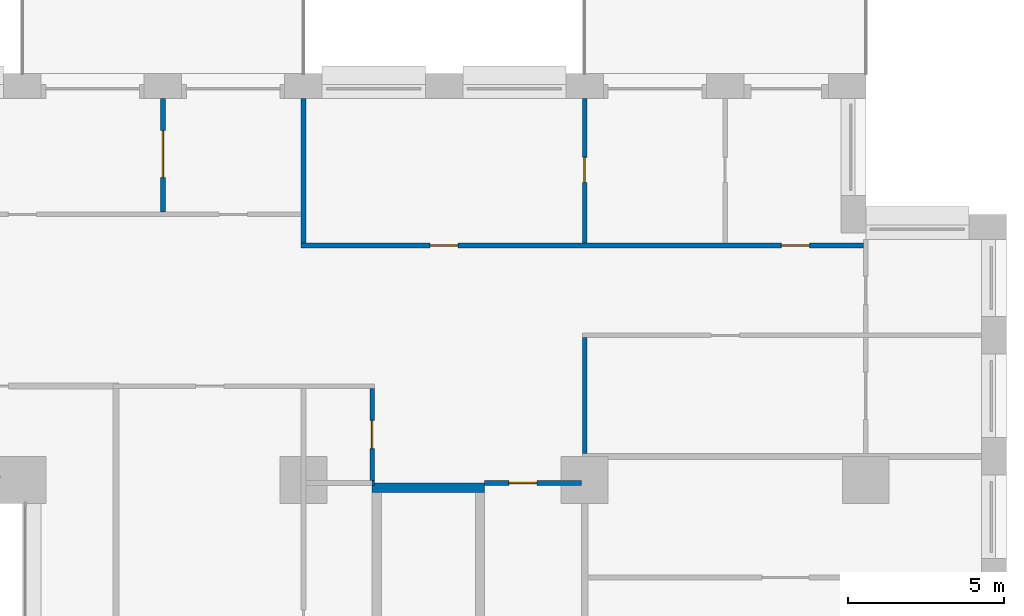
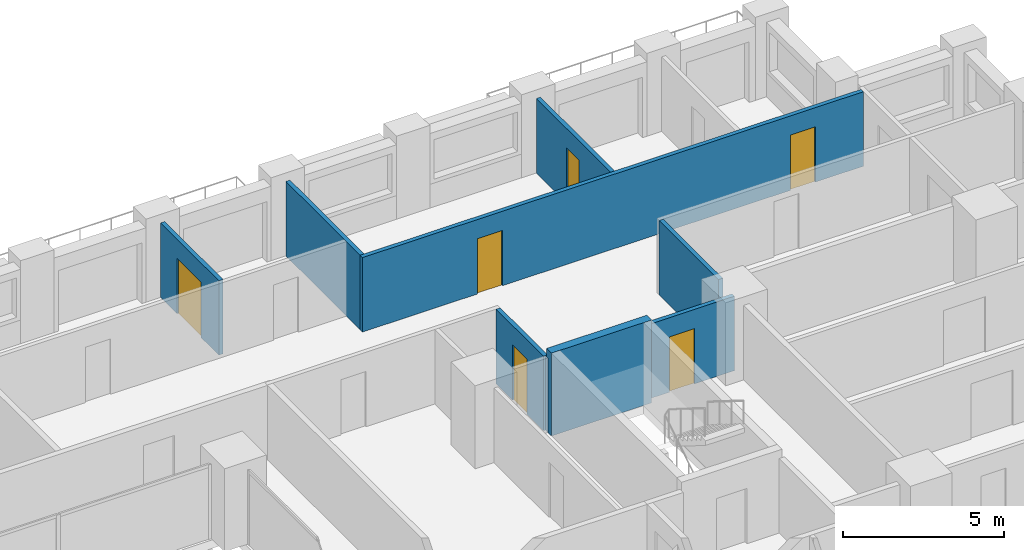
# One storey, part 15 of 20: 9 walls, 6 doors, 6 openings.
"""IFC4 building model written with IfcOpenShell, lengths in metres."""

from ifc_helpers import new_model, si_unit, direction, frame, frame_2d, origin, place, context, subcontext, project, spatial, rectangle, extrude, material, layer, layer_set, type_object, element, fill, save


model = new_model("IFC4")

# Units and contexts
model_context = context("Model", 3, precision=1e-05, world=origin(), true_north=direction((0.0, 1.0)))
body_context = subcontext(model_context, "Body", "Model", "MODEL_VIEW")
ifc_project = project(units=[si_unit("LENGTHUNIT", "METRE"), si_unit("AREAUNIT", "SQUARE_METRE"), si_unit("VOLUMEUNIT", "CUBIC_METRE"), si_unit("PLANEANGLEUNIT", "RADIAN"), si_unit("MASSUNIT", "GRAM", prefix="KILO")], contexts=[model_context])

# Site, building, storey
site_placement = place(None, origin())
site = spatial("IfcSite", under=ifc_project, at=site_placement, CompositionType="ELEMENT")
building_placement = place(site_placement, origin())
building = spatial("IfcBuilding", under=site, at=building_placement, Name="Brigalow Station Residences", CompositionType="ELEMENT")
storey_placement = place(building_placement, frame((0.0, 0.0, 60.449951171875)))
storey = spatial("IfcBuildingStorey", under=building, at=storey_placement, Name="L17", CompositionType="ELEMENT", Elevation=60.449951171875)

# Wall
ifc_material_1 = material(Name="Concrete C80", Category="concrete")
ifc_layer_1 = layer(ifc_material_1, 0.300048828125)
ifc_layer_set_1 = layer_set([ifc_layer_1], Name="CORE SHEAR WALL 300 C80")
wall_type_1 = type_object("IfcWallType", Name="CORE SHEAR WALL 300 C80", PredefinedType="SHEAR", material=ifc_layer_set_1)
wall_1_placement = place(storey_placement, frame((56.199951171875, 35.25, 0.0), z_axis=(0.0, 0.0, 1.0), x_axis=(1.0, 0.0, 0.0)))
element("IfcWall", 1, at=wall_1_placement, inside=storey, type_object=wall_type_1, Name="CORE WALL ST-S3-N L17", PredefinedType="SHEAR", context=body_context, shape_type="SweptSolid", body=[
    extrude(rectangle(XDim=3.60009765625, YDim=0.300048828125, at=frame_2d((1.800048828125, 0.0))), origin(), (0.0, 0.0, 1.0), 3.150146484375),
])

# Wall, openings, doors
ifc_material_2 = material(Name="Plasterboard on steel stud partition", Category="steel")
ifc_layer_2 = layer(ifc_material_2, 0.14990234375)
ifc_layer_set_2 = layer_set([ifc_layer_2], Name="FLAT PARTITION 150")
wall_type_2 = type_object("IfcWallType", Name="FLAT PARTITION 150", PredefinedType="PARTITIONING", material=ifc_layer_set_2)
wall_2_placement = place(storey_placement, frame((53.925048828125, 43.0, 0.0), z_axis=(0.0, 0.0, 1.0), x_axis=(1.0, 0.0, 0.0)))
wall_2 = element("IfcWall", 2, at=wall_2_placement, inside=storey, type_object=wall_type_2, Name="PW-1F23", PredefinedType="PARTITIONING", context=body_context, shape_type="SweptSolid", body=[
    extrude(rectangle(XDim=18.0, YDim=0.14990234375, at=frame_2d((9.0, 0.0))), origin(), (0.0, 0.0, 1.0), 2.830078125),
])
opening_1_placement = place(wall_2_placement, frame((15.375, 0.0, 0.0)))
opening_1 = element("IfcOpeningElement", 3, at=opening_1_placement, cuts=wall_2, Name="Opening D-1F38", PredefinedType="OPENING", context=body_context, shape_type="SweptSolid", body=[
    extrude(rectangle(XDim=0.89990234375, YDim=2.10009765625, at=frame_2d((0.449951171875, 1.050048828125))), frame((0.0, 0.0849609375, 0.0), z_axis=(0.0, -1.0, 0.0), x_axis=(1.0, 0.0, 0.0)), (0.0, 0.0, 1.0), 0.169921875),
])
opening_2_placement = place(wall_2_placement, frame((4.125, 0.0, 0.0)))
opening_2 = element("IfcOpeningElement", 4, at=opening_2_placement, cuts=wall_2, Name="Opening D-1F44", PredefinedType="OPENING", context=body_context, shape_type="SweptSolid", body=[
    extrude(rectangle(XDim=0.89990234375, YDim=2.10009765625, at=frame_2d((0.449951171875, 1.050048828125))), frame((0.0, 0.0849609375, 0.0), z_axis=(0.0, -1.0, 0.0), x_axis=(1.0, 0.0, 0.0)), (0.0, 0.0, 1.0), 0.169921875),
])
ifc_material_3 = material(Name="Solid-core timber door leaf", Category="wood")
door_type_1 = type_object("IfcDoorType", Name="INTERNAL DOOR 900 x 2100", OperationType="SINGLE_SWING_LEFT", PredefinedType="DOOR", material=ifc_material_3)
door_1_placement = place(opening_1_placement, origin())
door_1 = element("IfcDoor", 5, at=door_1_placement, inside=storey, type_object=door_type_1, Name="D-1F38", OperationType="SINGLE_SWING_RIGHT", OverallHeight=2.10009765625, OverallWidth=0.89990234375, PredefinedType="DOOR", context=body_context, shape_type="SweptSolid", body=[
    extrude(rectangle(XDim=0.89990234375, YDim=2.10009765625, at=frame_2d((0.449951171875, 1.050048828125))), frame((0.0, 0.02490234375, 0.0), z_axis=(0.0, -1.0, 0.0), x_axis=(1.0, 0.0, 0.0)), (0.0, 0.0, 1.0), 0.050048828125),
])
fill(opening_1, door_1)
door_2_placement = place(opening_2_placement, origin())
door_2 = element("IfcDoor", 6, at=door_2_placement, inside=storey, type_object=door_type_1, Name="D-1F44", OperationType="SINGLE_SWING_RIGHT", OverallHeight=2.10009765625, OverallWidth=0.89990234375, PredefinedType="DOOR", context=body_context, shape_type="SweptSolid", body=[
    extrude(rectangle(XDim=0.89990234375, YDim=2.10009765625, at=frame_2d((0.449951171875, 1.050048828125))), frame((0.0, 0.02490234375, 0.0), z_axis=(0.0, -1.0, 0.0), x_axis=(1.0, 0.0, 0.0)), (0.0, 0.0, 1.0), 0.050048828125),
])
fill(opening_2, door_2)

# Wall
wall_3_placement = place(storey_placement, frame((56.199951171875, 35.39990234375, 0.0), z_axis=(0.0, 0.0, 1.0), x_axis=(1.0, 0.0, 0.0)))
element("IfcWall", 7, at=wall_3_placement, inside=storey, type_object=wall_type_2, Name="PW-1F27", PredefinedType="PARTITIONING", context=body_context, shape_type="SweptSolid", body=[
    extrude(rectangle(XDim=0.074951171875, YDim=0.14990234375, at=frame_2d((0.03759765625, 0.0))), origin(), (0.0, 0.0, 1.0), 2.830078125),
])

# Wall, opening, door
wall_4_placement = place(storey_placement, frame((59.800048828125, 35.39990234375, 0.0), z_axis=(0.0, 0.0, 1.0), x_axis=(1.0, 0.0, 0.0)))
wall_4 = element("IfcWall", 8, at=wall_4_placement, inside=storey, type_object=wall_type_2, Name="PW-1F28", PredefinedType="PARTITIONING", context=body_context, shape_type="SweptSolid", body=[
    extrude(rectangle(XDim=3.099853515625, YDim=0.14990234375, at=frame_2d((1.5498046875, 0.0))), origin(), (0.0, 0.0, 1.0), 2.830078125),
])
opening_3_placement = place(wall_4_placement, frame((0.77490234375, 0.0, 0.0)))
opening_3 = element("IfcOpeningElement", 9, at=opening_3_placement, cuts=wall_4, Name="Opening D-1F48", PredefinedType="OPENING", context=body_context, shape_type="SweptSolid", body=[
    extrude(rectangle(XDim=0.89990234375, YDim=2.10009765625, at=frame_2d((0.449951171875, 1.050048828125))), frame((0.0, 0.0849609375, 0.0), z_axis=(0.0, -1.0, 0.0), x_axis=(1.0, 0.0, 0.0)), (0.0, 0.0, 1.0), 0.169921875),
])
door_3_placement = place(opening_3_placement, frame((0.89990234375, 0.0, 0.0), z_axis=(0.0, 0.0, 1.0), x_axis=(-1.0, 0.0, 0.0)))
door_3 = element("IfcDoor", 10, at=door_3_placement, inside=storey, type_object=door_type_1, Name="D-1F48", OperationType="SINGLE_SWING_RIGHT", OverallHeight=2.10009765625, OverallWidth=0.89990234375, PredefinedType="DOOR", context=body_context, shape_type="SweptSolid", body=[
    extrude(rectangle(XDim=0.89990234375, YDim=2.10009765625, at=frame_2d((0.449951171875, 1.050048828125))), frame((0.0, 0.02490234375, 0.0), z_axis=(0.0, -1.0, 0.0), x_axis=(1.0, 0.0, 0.0)), (0.0, 0.0, 1.0), 0.050048828125),
])
fill(opening_3, door_3)

# Walls
wall_5_placement = place(storey_placement, frame((54.0, 43.074951171875, 0.0), z_axis=(0.0, 0.0, 1.0), x_axis=(0.0, 1.0, 0.0)))
element("IfcWall", 11, at=wall_5_placement, inside=storey, type_object=wall_type_2, Name="PW-1F42", PredefinedType="PARTITIONING", context=body_context, shape_type="SweptSolid", body=[
    extrude(rectangle(XDim=4.625, YDim=0.14990234375, at=frame_2d((2.3125, 0.0))), origin(), (0.0, 0.0, 1.0), 2.830078125),
])
wall_6_placement = place(storey_placement, frame((63.0, 36.35009765625, 0.0), z_axis=(0.0, 0.0, 1.0), x_axis=(0.0, 1.0, 0.0)))
element("IfcWall", 12, at=wall_6_placement, inside=storey, type_object=wall_type_2, Name="PW-1F71", PredefinedType="PARTITIONING", context=body_context, shape_type="SweptSolid", body=[
    extrude(rectangle(XDim=3.699951171875, YDim=0.14990234375, at=frame_2d((1.85009765625, 0.0))), origin(), (0.0, 0.0, 1.0), 2.830078125),
])

# Wall, opening, door
wall_7_placement = place(storey_placement, frame((63.0, 43.074951171875, 0.0), z_axis=(0.0, 0.0, 1.0), x_axis=(0.0, 1.0, 0.0)))
wall_7 = element("IfcWall", 13, at=wall_7_placement, inside=storey, type_object=wall_type_2, Name="PW-1F72", PredefinedType="PARTITIONING", context=body_context, shape_type="SweptSolid", body=[
    extrude(rectangle(XDim=4.625, YDim=0.14990234375, at=frame_2d((2.3125, 0.0))), origin(), (0.0, 0.0, 1.0), 2.830078125),
])
opening_4_placement = place(wall_7_placement, frame((1.949951171875, 0.0, 0.0)))
opening_4 = element("IfcOpeningElement", 14, at=opening_4_placement, cuts=wall_7, Name="Opening D-1F41", PredefinedType="OPENING", context=body_context, shape_type="SweptSolid", body=[
    extrude(rectangle(XDim=0.800048828125, YDim=2.10009765625, at=frame_2d((0.39990234375, 1.050048828125))), frame((0.0, 0.0849609375, 0.0), z_axis=(0.0, -1.0, 0.0), x_axis=(1.0, 0.0, 0.0)), (0.0, 0.0, 1.0), 0.169921875),
])
ifc_material_4 = material(Name="Solid-core timber door leaf", Category="wood")
door_type_2 = type_object("IfcDoorType", Name="INTERNAL DOOR 800 x 2100", OperationType="SINGLE_SWING_LEFT", PredefinedType="DOOR", material=ifc_material_4)
door_4_placement = place(opening_4_placement, frame((0.800048828125, 0.0, 0.0), z_axis=(0.0, 0.0, 1.0), x_axis=(-1.0, 0.0, 0.0)))
door_4 = element("IfcDoor", 15, at=door_4_placement, inside=storey, type_object=door_type_2, Name="D-1F41", OperationType="SINGLE_SWING_LEFT", OverallHeight=2.10009765625, OverallWidth=0.800048828125, PredefinedType="DOOR", context=body_context, shape_type="SweptSolid", body=[
    extrude(rectangle(XDim=0.800048828125, YDim=2.10009765625, at=frame_2d((0.39990234375, 1.050048828125))), frame((0.0, 0.02490234375, 0.0), z_axis=(0.0, -1.0, 0.0), x_axis=(1.0, 0.0, 0.0)), (0.0, 0.0, 1.0), 0.050048828125),
])
fill(opening_4, door_4)

wall_8_placement = place(storey_placement, frame((56.199951171875, 35.47509765625, 0.0), z_axis=(0.0, 0.0, 1.0), x_axis=(0.0, 1.0, 0.0)))
wall_8 = element("IfcWall", 16, at=wall_8_placement, inside=storey, type_object=wall_type_2, Name="PW-1F74", PredefinedType="PARTITIONING", context=body_context, shape_type="SweptSolid", body=[
    extrude(rectangle(XDim=2.949951171875, YDim=0.14990234375, at=frame_2d((1.47509765625, 0.0))), origin(), (0.0, 0.0, 1.0), 2.830078125),
])
opening_5_placement = place(wall_8_placement, frame((1.02490234375, 0.0, 0.0)))
opening_5 = element("IfcOpeningElement", 17, at=opening_5_placement, cuts=wall_8, Name="Opening D-1F47", PredefinedType="OPENING", context=body_context, shape_type="SweptSolid", body=[
    extrude(rectangle(XDim=0.89990234375, YDim=2.10009765625, at=frame_2d((0.449951171875, 1.050048828125))), frame((0.0, 0.0849609375, 0.0), z_axis=(0.0, -1.0, 0.0), x_axis=(1.0, 0.0, 0.0)), (0.0, 0.0, 1.0), 0.169921875),
])
door_5_placement = place(opening_5_placement, origin())
door_5 = element("IfcDoor", 18, at=door_5_placement, inside=storey, type_object=door_type_1, Name="D-1F47", OperationType="SINGLE_SWING_LEFT", OverallHeight=2.10009765625, OverallWidth=0.89990234375, PredefinedType="DOOR", context=body_context, shape_type="SweptSolid", body=[
    extrude(rectangle(XDim=0.89990234375, YDim=2.10009765625, at=frame_2d((0.449951171875, 1.050048828125))), frame((0.0, 0.02490234375, 0.0), z_axis=(0.0, -1.0, 0.0), x_axis=(1.0, 0.0, 0.0)), (0.0, 0.0, 1.0), 0.050048828125),
])
fill(opening_5, door_5)

wall_9_placement = place(storey_placement, frame((49.5, 44.074951171875, 0.0), z_axis=(0.0, 0.0, 1.0), x_axis=(0.0, 1.0, 0.0)))
wall_9 = element("IfcWall", 19, at=wall_9_placement, inside=storey, type_object=wall_type_2, Name="PW-1F78", PredefinedType="PARTITIONING", context=body_context, shape_type="SweptSolid", body=[
    extrude(rectangle(XDim=3.625, YDim=0.14990234375, at=frame_2d((1.8125, 0.0))), origin(), (0.0, 0.0, 1.0), 2.830078125),
])
opening_6_placement = place(wall_9_placement, frame((1.10009765625, 0.0, 0.0)))
opening_6 = element("IfcOpeningElement", 20, at=opening_6_placement, cuts=wall_9, Name="Opening D-1F40", PredefinedType="OPENING", context=body_context, shape_type="SweptSolid", body=[
    extrude(rectangle(XDim=1.5, YDim=2.10009765625, at=frame_2d((0.75, 1.050048828125))), frame((0.0, 0.0849609375, 0.0), z_axis=(0.0, -1.0, 0.0), x_axis=(1.0, 0.0, 0.0)), (0.0, 0.0, 1.0), 0.169921875),
])
ifc_material_5 = material(Name="Solid-core timber door leaf", Category="wood")
door_type_3 = type_object("IfcDoorType", Name="INTERNAL DOUBLE DOOR 1500 x 2100", OperationType="DOUBLE_DOOR_SINGLE_SWING", PredefinedType="DOOR", material=ifc_material_5)
door_6_placement = place(opening_6_placement, frame((1.5, 0.0, 0.0), z_axis=(0.0, 0.0, 1.0), x_axis=(-1.0, 0.0, 0.0)))
door_6 = element("IfcDoor", 21, at=door_6_placement, inside=storey, type_object=door_type_3, Name="D-1F40", OperationType="DOUBLE_DOOR_SINGLE_SWING", OverallHeight=2.10009765625, OverallWidth=1.5, PredefinedType="DOOR", context=body_context, shape_type="SweptSolid", body=[
    extrude(rectangle(XDim=1.5, YDim=2.10009765625, at=frame_2d((0.75, 1.050048828125))), frame((0.0, 0.02490234375, 0.0), z_axis=(0.0, -1.0, 0.0), x_axis=(1.0, 0.0, 0.0)), (0.0, 0.0, 1.0), 0.050048828125),
])
fill(opening_6, door_6)

save(model, "model.ifc")
